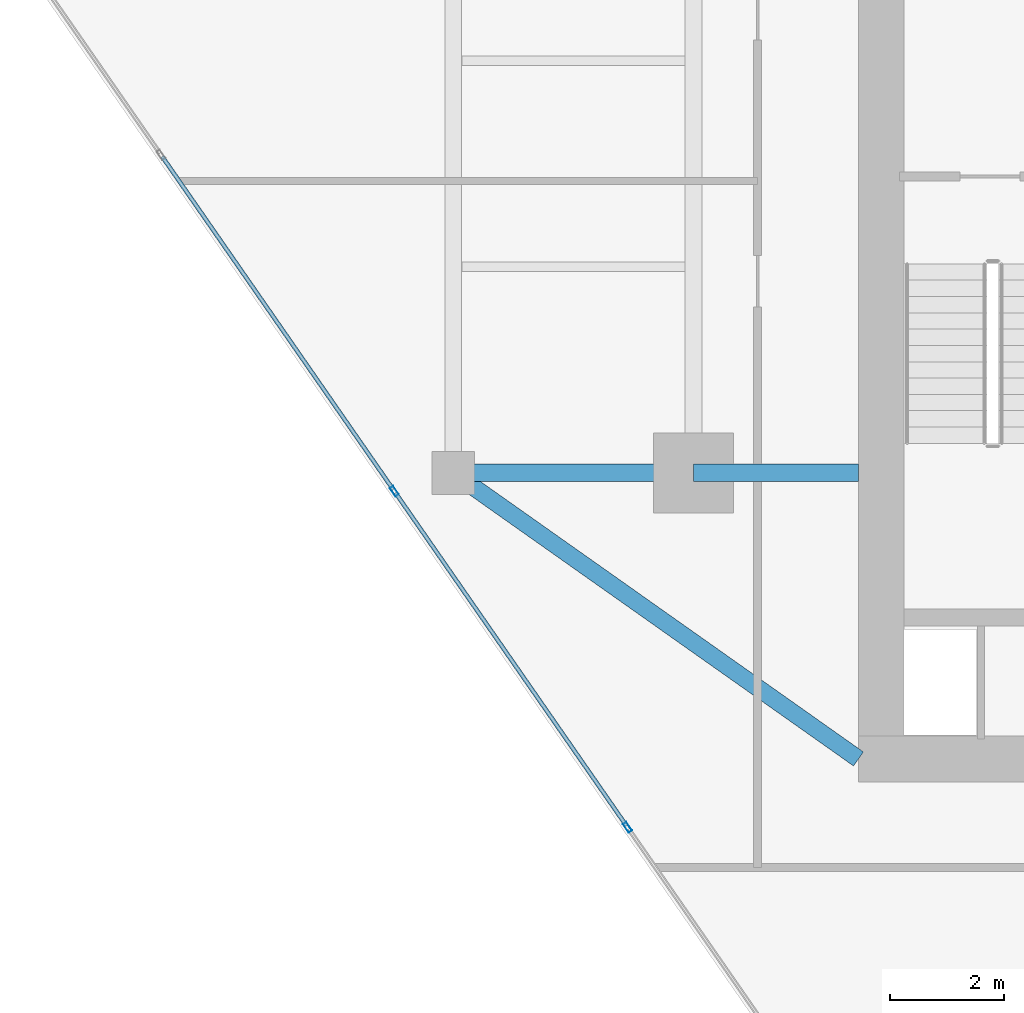
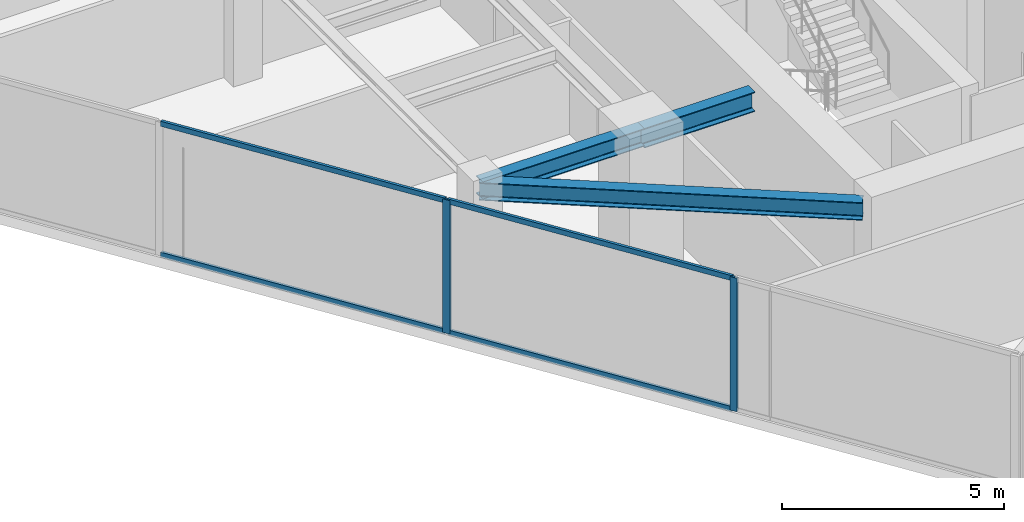
# One storey, part 2 of 21: 6 members, 3 beams, 1 element without a shape of its own.
"""IFC4 building model written with IfcOpenShell, lengths in metres."""

from ifc_helpers import new_model, si_unit, direction, frame, origin, origin_2d, place, context, subcontext, project, spatial, hollow_rectangle, i_section, extrude, source, transform, mapped, material, material_profile, profile_set, type_object, type_shapes, element, aggregate, save


model = new_model("IFC4")

# Units and contexts
model_context = context("Model", 3, precision=1e-05, world=origin(), true_north=direction((0.0, 1.0)))
body_context = subcontext(model_context, "Body", "Model", "MODEL_VIEW")
ifc_project = project(units=[si_unit("LENGTHUNIT", "METRE"), si_unit("AREAUNIT", "SQUARE_METRE"), si_unit("VOLUMEUNIT", "CUBIC_METRE"), si_unit("PLANEANGLEUNIT", "RADIAN"), si_unit("MASSUNIT", "GRAM", prefix="KILO")], contexts=[model_context])

# Site, building, storey
site_placement = place(None, origin())
site = spatial("IfcSite", under=ifc_project, at=site_placement, CompositionType="ELEMENT")
building_placement = place(site_placement, origin())
building = spatial("IfcBuilding", under=site, at=building_placement, Name="Krantzveldt Concourse Tower", CompositionType="ELEMENT")
storey_placement = place(building_placement, frame((0.0, 0.0, 271.35009765625)))
storey = spatial("IfcBuildingStorey", under=building, at=storey_placement, Name="L66", CompositionType="ELEMENT", Elevation=271.35009765625)

# Beams
ifc_material_1 = material(Name="Steel S355JR", Category="steel")
ifc_material_profile_1 = material_profile(ifc_material_1, i_section(OverallWidth=0.300048828125, OverallDepth=0.489990234375, WebThickness=0.011962890625, FlangeThickness=0.02294921875, FilletRadius=0.027099609375, at=origin_2d()), Name="Steel S355JR", Category="steel")
ifc_profile_set_1 = profile_set([ifc_material_profile_1], Name="Steel S355JR - HEA 500")
beam_type_1 = type_object("IfcBeamType", Name="BM-B-HEA500", PredefinedType="BEAM", material=ifc_profile_set_1)
shared_shape_1 = source(origin(), body_context, "Body", "SweptSolid", [
    extrude(i_section(OverallWidth=0.300048828125, OverallDepth=0.489990234375, WebThickness=0.011962890625, FlangeThickness=0.02294921875, FilletRadius=0.027099609375, at=origin_2d()), origin(), (0.0, 0.0, 1.0), 4.199951171875),
])
beam_1_placement = place(storey_placement, frame((21.0, 15.89990234375, 3.4248046875), z_axis=(1.0, 0.0, 0.0), x_axis=(0.0, 1.0, 0.0)))
element("IfcBeam", 1, at=beam_1_placement, inside=storey, type_object=beam_type_1, Name="L66 Tower Girder BR-RL1", PredefinedType="BEAM", context=body_context, shape_type="MappedRepresentation", body=[
    mapped(shared_shape_1, transform((0.0, 0.0, 0.0), x_axis=(1.0, 0.0, 0.0), y_axis=(0.0, 1.0, 0.0), z_axis=(0.0, 0.0, 1.0), scale=1.0)),
])
shared_shape_2 = source(origin(), body_context, "Body", "SweptSolid", [
    extrude(i_section(OverallWidth=0.300048828125, OverallDepth=0.489990234375, WebThickness=0.011962890625, FlangeThickness=0.02294921875, FilletRadius=0.027099609375, at=origin_2d()), origin(), (0.0, 0.0, 1.0), 8.667724609375),
])
type_shapes(beam_type_1, [shared_shape_1, shared_shape_2])
beam_2_placement = place(storey_placement, frame((21.0, 15.89990234375, 3.4248046875), z_axis=(0.81684294656, -0.576860122261, 0.0), x_axis=(0.576860122261, 0.81684294656, 0.0)))
element("IfcBeam", 2, at=beam_2_placement, inside=storey, type_object=beam_type_1, Name="L66 Tower Girder BR-CSW", PredefinedType="BEAM", context=body_context, shape_type="MappedRepresentation", body=[
    mapped(shared_shape_2, transform((0.0, 0.0, 0.0), x_axis=(1.0, 0.0, 0.0), y_axis=(0.0, 1.0, 0.0), z_axis=(0.0, 0.0, 1.0), scale=1.0)),
])
ifc_material_profile_2 = material_profile(ifc_material_1, i_section(OverallWidth=0.300048828125, OverallDepth=0.5400390625, WebThickness=0.012451171875, FlangeThickness=0.02392578125, FilletRadius=0.027099609375, at=origin_2d()), Name="Steel S355JR", Category="steel")
ifc_profile_set_2 = profile_set([ifc_material_profile_2], Name="Steel S355JR - HEA 550")
beam_type_2 = type_object("IfcBeamType", Name="BM-B-HEA550", PredefinedType="BEAM", material=ifc_profile_set_2)
shared_shape_3 = source(origin(), body_context, "Body", "SweptSolid", [
    extrude(i_section(OverallWidth=0.300048828125, OverallDepth=0.5400390625, WebThickness=0.012451171875, FlangeThickness=0.02392578125, FilletRadius=0.027099609375, at=origin_2d()), origin(), (0.0, 0.0, 1.0), 2.880126953125),
])
type_shapes(beam_type_2, [shared_shape_3])
beam_3_placement = place(storey_placement, frame((25.199951171875, 15.89990234375, 3.39990234375), z_axis=(1.0, 0.0, 0.0), x_axis=(0.0, 1.0, 0.0)))
element("IfcBeam", 3, at=beam_3_placement, inside=storey, type_object=beam_type_2, Name="L66 Tower Girder BG-CW1", PredefinedType="BEAM", context=body_context, shape_type="MappedRepresentation", body=[
    mapped(shared_shape_3, transform((0.0, 0.0, 0.0), x_axis=(1.0, 0.0, 0.0), y_axis=(0.0, 1.0, 0.0), z_axis=(0.0, 0.0, 1.0), scale=1.0)),
])

# Curtain wall, members
ifc_material_2 = material(Name="Anodised aluminium 6063-T6", Category="aluminium")
curtain_wall_type = type_object("IfcCurtainWallType", Name="CW4", PredefinedType="USERDEFINED", material=ifc_material_2)
curtain_wall_placement = place(storey_placement, origin())
curtain_wall = element("IfcCurtainWall", 4, at=curtain_wall_placement, inside=storey, type_object=curtain_wall_type, Name="CW-L66-F08", ObjectType="UNITISED CURTAIN WALL", PredefinedType="USERDEFINED")
ifc_material_profile_3 = material_profile(ifc_material_2, hollow_rectangle(XDim=0.070068359375, YDim=0.179931640625, WallThickness=0.0048828125, at=origin_2d()), Name="Anodised aluminium 6063-T6", Category="aluminium")
ifc_profile_set_3 = profile_set([ifc_material_profile_3], Name="Anodised aluminium 6063-T6 - ALU-MULL 180x70x5")
member_type_1 = type_object("IfcMemberType", Name="CW-MUL-180", PredefinedType="MULLION", material=ifc_profile_set_3)
shared_shape_4 = source(origin(), body_context, "Body", "SweptSolid", [
    extrude(hollow_rectangle(XDim=0.070068359375, YDim=0.179931640625, WallThickness=0.0048828125, at=origin_2d()), origin(), (0.0, 0.0, 1.0), 3.669921875),
])
type_shapes(member_type_1, [shared_shape_4])
member_1_placement = place(storey_placement, frame((19.9697265625, 15.579345703125, 0.0), z_axis=(0.0, 0.0, 1.0), x_axis=(0.821647031735, 0.569996627395, 0.0)))
member_1 = element("IfcMember", 5, at=member_1_placement, type_object=member_type_1, Name="CW-Z56 mullion 3", PredefinedType="MULLION", context=body_context, shape_type="MappedRepresentation", body=[
    mapped(shared_shape_4, transform((0.0, 0.0, 0.0), x_axis=(1.0, 0.0, 0.0), y_axis=(0.0, 1.0, 0.0), z_axis=(0.0, 0.0, 1.0), scale=1.0)),
])
member_2_placement = place(storey_placement, frame((24.045166015625, 9.70458984375, 0.0), z_axis=(0.0, 0.0, 1.0), x_axis=(0.821647031735, 0.569996627395, 0.0)))
member_2 = element("IfcMember", 6, at=member_2_placement, type_object=member_type_1, Name="CW-Z56 mullion 4", PredefinedType="MULLION", context=body_context, shape_type="MappedRepresentation", body=[
    mapped(shared_shape_4, transform((0.0, 0.0, 0.0), x_axis=(1.0, 0.0, 0.0), y_axis=(0.0, 1.0, 0.0), z_axis=(0.0, 0.0, 1.0), scale=1.0)),
])
ifc_material_profile_4 = material_profile(ifc_material_2, hollow_rectangle(XDim=0.070068359375, YDim=0.139892578125, WallThickness=0.0048828125, at=origin_2d()), Name="Anodised aluminium 6063-T6", Category="aluminium")
ifc_profile_set_4 = profile_set([ifc_material_profile_4], Name="Anodised aluminium 6063-T6 - ALU-TRAN 140x70x5")
member_type_2 = type_object("IfcMemberType", Name="CW-TRN-150", PredefinedType="USERDEFINED", material=ifc_profile_set_4)
shared_shape_5 = source(origin(), body_context, "Body", "SweptSolid", [
    extrude(hollow_rectangle(XDim=0.070068359375, YDim=0.139892578125, WallThickness=0.0048828125, at=origin_2d()), origin(), (0.0, 0.0, 1.0), 7.079833984375),
])
type_shapes(member_type_2, [shared_shape_5])
member_3_placement = place(storey_placement, frame((15.9140625, 21.42529296875, 0.034912109375), z_axis=(0.570011241397, -0.821636893452, 0.0), x_axis=(0.821636893452, 0.570011241397, 0.0)))
member_3 = element("IfcMember", 7, at=member_3_placement, type_object=member_type_2, Name="CW-Z56 transom 2.1", ObjectType="TRANSOM", PredefinedType="USERDEFINED", context=body_context, shape_type="MappedRepresentation", body=[
    mapped(shared_shape_5, transform((0.0, 0.0, 0.0), x_axis=(1.0, 0.0, 0.0), y_axis=(0.0, 1.0, 0.0), z_axis=(0.0, 0.0, 1.0), scale=1.0)),
])
member_4_placement = place(storey_placement, frame((15.9140625, 21.42529296875, 3.635009765625), z_axis=(0.570011241397, -0.821636893452, 0.0), x_axis=(0.821636893452, 0.570011241397, 0.0)))
member_4 = element("IfcMember", 8, at=member_4_placement, type_object=member_type_2, Name="CW-Z56 transom 2.2", ObjectType="TRANSOM", PredefinedType="USERDEFINED", context=body_context, shape_type="MappedRepresentation", body=[
    mapped(shared_shape_5, transform((0.0, 0.0, 0.0), x_axis=(1.0, 0.0, 0.0), y_axis=(0.0, 1.0, 0.0), z_axis=(0.0, 0.0, 1.0), scale=1.0)),
])
member_5_placement = place(storey_placement, frame((19.989501953125, 15.550537109375, 0.034912109375), z_axis=(0.570011241397, -0.821636893452, 0.0), x_axis=(0.821636893452, 0.570011241397, 0.0)))
member_5 = element("IfcMember", 9, at=member_5_placement, type_object=member_type_2, Name="CW-Z56 transom 3.1", ObjectType="TRANSOM", PredefinedType="USERDEFINED", context=body_context, shape_type="MappedRepresentation", body=[
    mapped(shared_shape_5, transform((0.0, 0.0, 0.0), x_axis=(1.0, 0.0, 0.0), y_axis=(0.0, 1.0, 0.0), z_axis=(0.0, 0.0, 1.0), scale=1.0)),
])
member_6_placement = place(storey_placement, frame((19.989501953125, 15.550537109375, 3.635009765625), z_axis=(0.570011241397, -0.821636893452, 0.0), x_axis=(0.821636893452, 0.570011241397, 0.0)))
member_6 = element("IfcMember", 10, at=member_6_placement, type_object=member_type_2, Name="CW-Z56 transom 3.2", ObjectType="TRANSOM", PredefinedType="USERDEFINED", context=body_context, shape_type="MappedRepresentation", body=[
    mapped(shared_shape_5, transform((0.0, 0.0, 0.0), x_axis=(1.0, 0.0, 0.0), y_axis=(0.0, 1.0, 0.0), z_axis=(0.0, 0.0, 1.0), scale=1.0)),
])
aggregate(curtain_wall, [member_1, member_2, member_3, member_4, member_5, member_6])

save(model, "model.ifc")
